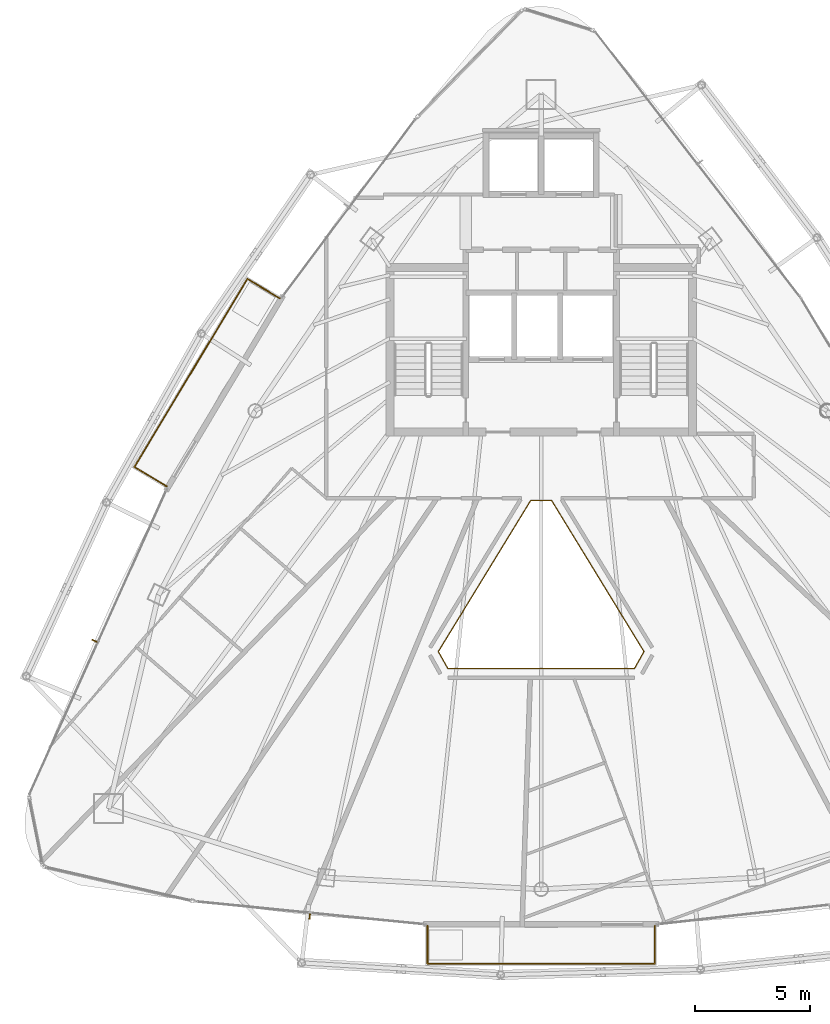
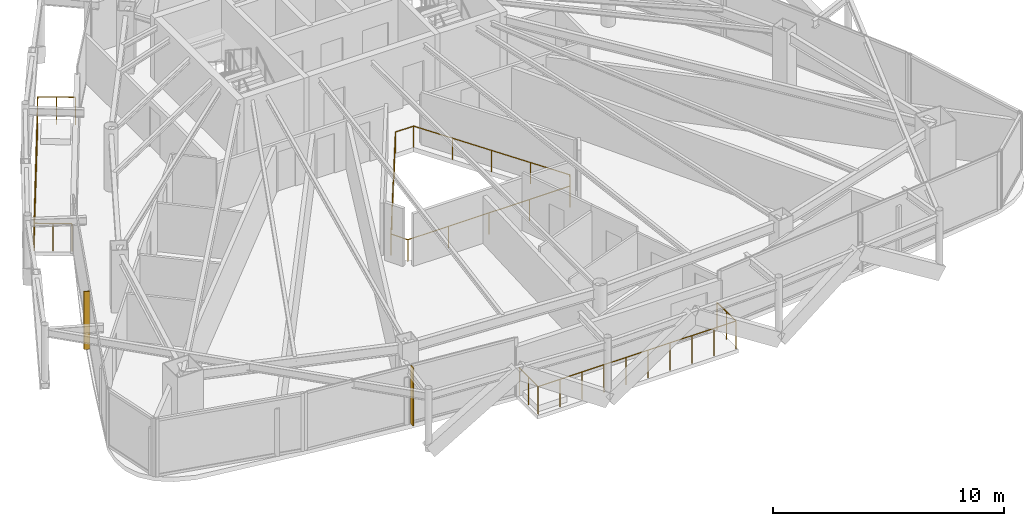
# One storey, part 29 of 30: 3 railings, 2 shading devices.
"""IFC4 building model written with IfcOpenShell, lengths in metres."""

from ifc_helpers import new_model, si_unit, direction, frame, origin, origin_2d, place, context, subcontext, project, spatial, rectangle, circle, extrude, material, layer, layer_set, type_object, element, save


model = new_model("IFC4")

# Units and contexts
model_context = context("Model", 3, precision=1e-05, world=origin(), true_north=direction((0.0, 1.0)))
body_context = subcontext(model_context, "Body", "Model", "MODEL_VIEW")
ifc_project = project(units=[si_unit("LENGTHUNIT", "METRE"), si_unit("AREAUNIT", "SQUARE_METRE"), si_unit("VOLUMEUNIT", "CUBIC_METRE"), si_unit("PLANEANGLEUNIT", "RADIAN"), si_unit("MASSUNIT", "GRAM", prefix="KILO")], contexts=[model_context])

# Site, building, storey
site_placement = place(None, origin())
site = spatial("IfcSite", under=ifc_project, at=site_placement, CompositionType="ELEMENT")
building_placement = place(site_placement, origin())
building = spatial("IfcBuilding", under=site, at=building_placement, Name="Orvanel Arch Residences", CompositionType="ELEMENT")
storey_placement = place(building_placement, frame((0.0, 0.0, 240.35009765625)))
storey = spatial("IfcBuildingStorey", under=building, at=storey_placement, Name="L68", CompositionType="ELEMENT", Elevation=240.35009765625)

# Shading devices
ifc_material = material(Name="Bronze-anodised aluminium AA6063-T6", Category="aluminium")
ifc_layer = layer(ifc_material, 0.050048828125)
ifc_layer_set = layer_set([ifc_layer], Name="Bronze-anodised aluminium AA6063-T6")
shading_device_type = type_object("IfcShadingDeviceType", Name="FIN-BRZ-260", PredefinedType="USERDEFINED", material=ifc_layer_set)
for number, where, z_axis, x_axis, name in (
    (1, (13.5869140625, 17.64208984375, -0.000244140625), (0.0, 0.0, 1.0), (-0.912120116172, 0.409923033842, 0.0), "L68 Anodised Bronze Mullion FIN 01"),
    (2, (22.93994140625, 5.6640625, -0.000244140625), (0.0, 0.0, 1.0), (-0.099319749744, -0.995055569961, 0.0), "L68 Anodised Bronze Mullion FIN 01"),
):
    element("IfcShadingDevice", number, at=place(storey_placement, frame(where, z_axis=z_axis, x_axis=x_axis)), inside=storey, type_object=shading_device_type, Name=name, ObjectType="FIN", PredefinedType="USERDEFINED", context=body_context, shape_type="SweptSolid", body=[
        extrude(rectangle(XDim=0.260009765625, YDim=0.050048828125, at=origin_2d()), origin(), (0.0, 0.0, 1.0), 3.06005859375),
    ])

# Railings
railing_type_1 = type_object("IfcRailingType", Name="RL-ATR-1150", PredefinedType="BALUSTRADE", material=ifc_material)
railing_1_placement = place(storey_placement, frame((33.452880859375, 23.7470703125, 0.0)))
element("IfcRailing", 3, at=railing_1_placement, inside=storey, type_object=railing_type_1, Name="L68 Atrium Void Protective Balustrade", PredefinedType="BALUSTRADE", context=body_context, shape_type="SweptSolid", body=[
    extrude(circle(Radius=0.02392578125, at=origin_2d()), frame((-0.00146484375, 0.0, 1.1259765625), z_axis=(-1.0, 0.0, 0.0), x_axis=(0.0, -1.0, 0.0)), (0.0, 0.0, 1.0), 0.90283203125),
    extrude(circle(Radius=0.02392578125, at=origin_2d()), frame((-0.906494140625, -0.001220703125, 1.1259765625), z_axis=(-0.521628329613, -0.853172834627, 0.0), x_axis=(0.853172834627, -0.521628329613, 0.0)), (0.0, 0.0, 1.0), 7.6943359375),
    extrude(circle(Radius=0.02392578125, at=origin_2d()), frame((-4.920166015625, -6.568359375, 1.1259765625), z_axis=(0.489565416471, -0.871966572178, 0.0), x_axis=(0.871966572178, 0.489565416471, 0.0)), (0.0, 0.0, 1.0), 0.8466796875),
    extrude(circle(Radius=0.02392578125, at=origin_2d()), frame((-4.50341796875, -7.30810546875, 1.1259765625), z_axis=(1.0, 0.0, 0.0), x_axis=(0.0, 1.0, 0.0)), (0.0, 0.0, 1.0), 8.10107421875),
    extrude(circle(Radius=0.02392578125, at=origin_2d()), frame((3.599853515625, -7.306884765625, 1.1259765625), z_axis=(0.489565416471, 0.871966572178, 0.0), x_axis=(-0.871966572178, 0.489565416471, 0.0)), (0.0, 0.0, 1.0), 0.8466796875),
    extrude(circle(Radius=0.02392578125, at=origin_2d()), frame((4.014404296875, -6.56591796875, 1.1259765625), z_axis=(-0.521628329613, 0.853172834627, 0.0), x_axis=(-0.853172834627, -0.521628329613, 0.0)), (0.0, 0.0, 1.0), 7.6943359375),
    extrude(circle(Radius=0.02099609375, at=origin_2d()), origin(), (0.0, 0.0, 1.0), 1.099853515625),
    extrude(circle(Radius=0.02099609375, at=origin_2d()), frame((-0.90576171875, 0.0, 0.0)), (0.0, 0.0, 1.0), 1.099853515625),
    extrude(circle(Radius=0.02099609375, at=origin_2d()), frame((-1.90966796875, -1.641845703125, 0.0)), (0.0, 0.0, 1.0), 1.099853515625),
    extrude(circle(Radius=0.02099609375, at=origin_2d()), frame((-2.913330078125, -3.28369140625, 0.0)), (0.0, 0.0, 1.0), 1.099853515625),
    extrude(circle(Radius=0.02099609375, at=origin_2d()), frame((-3.9169921875, -4.92529296875, 0.0)), (0.0, 0.0, 1.0), 1.099853515625),
    extrude(circle(Radius=0.02099609375, at=origin_2d()), frame((-4.9208984375, -6.567138671875, 0.0)), (0.0, 0.0, 1.0), 1.099853515625),
    extrude(circle(Radius=0.02099609375, at=origin_2d()), frame((-4.5048828125, -7.30810546875, 0.0)), (0.0, 0.0, 1.0), 1.099853515625),
    extrude(circle(Radius=0.02099609375, at=origin_2d()), frame((-2.47900390625, -7.30810546875, 0.0)), (0.0, 0.0, 1.0), 1.099853515625),
    extrude(circle(Radius=0.02099609375, at=origin_2d()), frame((-0.452880859375, -7.30810546875, 0.0)), (0.0, 0.0, 1.0), 1.099853515625),
    extrude(circle(Radius=0.02099609375, at=origin_2d()), frame((1.5732421875, -7.30810546875, 0.0)), (0.0, 0.0, 1.0), 1.099853515625),
    extrude(circle(Radius=0.02099609375, at=origin_2d()), frame((3.59912109375, -7.30810546875, 0.0)), (0.0, 0.0, 1.0), 1.099853515625),
    extrude(circle(Radius=0.02099609375, at=origin_2d()), frame((4.01513671875, -6.567138671875, 0.0)), (0.0, 0.0, 1.0), 1.099853515625),
    extrude(circle(Radius=0.02099609375, at=origin_2d()), frame((3.01123046875, -4.92529296875, 0.0)), (0.0, 0.0, 1.0), 1.099853515625),
    extrude(circle(Radius=0.02099609375, at=origin_2d()), frame((2.007568359375, -3.28369140625, 0.0)), (0.0, 0.0, 1.0), 1.099853515625),
    extrude(circle(Radius=0.02099609375, at=origin_2d()), frame((1.00390625, -1.641845703125, 0.0)), (0.0, 0.0, 1.0), 1.099853515625),
])
railing_type_2 = type_object("IfcRailingType", Name="RL-BAL-1480", PredefinedType="BALUSTRADE", material=ifc_material)
railing_2_placement = place(storey_placement, frame((21.632080078125, 32.5380859375, 0.0)))
element("IfcRailing", 4, at=railing_2_placement, inside=storey, type_object=railing_type_2, Name="L68 Balcony Perimeter Guardrail Face 1", PredefinedType="BALUSTRADE", context=body_context, shape_type="SweptSolid", body=[
    extrude(circle(Radius=0.02392578125, at=origin_2d()), frame((-0.001220703125, 0.000732421875, 1.4560546875), z_axis=(-0.857387817543, 0.514670895164, 0.0), x_axis=(-0.514670895164, -0.857387817543, 0.0)), (0.0, 0.0, 1.0), 1.636962890625),
    extrude(circle(Radius=0.02392578125, at=origin_2d()), frame((-1.40673828125, 0.8427734375, 1.4560546875), z_axis=(-0.514439305395, -0.857526793205, 0.0), x_axis=(0.857526793205, -0.514439305395, 0.0)), (0.0, 0.0, 1.0), 9.537353515625),
    extrude(circle(Radius=0.02392578125, at=origin_2d()), frame((-6.312744140625, -7.337890625, 1.4560546875), z_axis=(0.857545439568, -0.514408222208, 0.0), x_axis=(0.514408222208, 0.857545439568, 0.0)), (0.0, 0.0, 1.0), 1.6376953125),
    extrude(circle(Radius=0.02099609375, at=origin_2d()), origin(), (0.0, 0.0, 1.0), 1.429931640625),
    extrude(circle(Radius=0.02099609375, at=origin_2d()), frame((-0.703125, 0.421875, 0.0)), (0.0, 0.0, 1.0), 1.429931640625),
    extrude(circle(Radius=0.02099609375, at=origin_2d()), frame((-1.406005859375, 0.843994140625, 0.0)), (0.0, 0.0, 1.0), 1.429931640625),
    extrude(circle(Radius=0.02099609375, at=origin_2d()), frame((-2.01953125, -0.1787109375, 0.0)), (0.0, 0.0, 1.0), 1.429931640625),
    extrude(circle(Radius=0.02099609375, at=origin_2d()), frame((-2.633056640625, -1.201171875, 0.0)), (0.0, 0.0, 1.0), 1.429931640625),
    extrude(circle(Radius=0.02099609375, at=origin_2d()), frame((-3.24658203125, -2.223876953125, 0.0)), (0.0, 0.0, 1.0), 1.429931640625),
    extrude(circle(Radius=0.02099609375, at=origin_2d()), frame((-3.85986328125, -3.24658203125, 0.0)), (0.0, 0.0, 1.0), 1.429931640625),
    extrude(circle(Radius=0.02099609375, at=origin_2d()), frame((-4.473388671875, -4.269287109375, 0.0)), (0.0, 0.0, 1.0), 1.429931640625),
    extrude(circle(Radius=0.02099609375, at=origin_2d()), frame((-5.0869140625, -5.2919921875, 0.0)), (0.0, 0.0, 1.0), 1.429931640625),
    extrude(circle(Radius=0.02099609375, at=origin_2d()), frame((-5.700439453125, -6.314453125, 0.0)), (0.0, 0.0, 1.0), 1.429931640625),
    extrude(circle(Radius=0.02099609375, at=origin_2d()), frame((-6.31396484375, -7.337158203125, 0.0)), (0.0, 0.0, 1.0), 1.429931640625),
    extrude(circle(Radius=0.02099609375, at=origin_2d()), frame((-5.6103515625, -7.75927734375, 0.0)), (0.0, 0.0, 1.0), 1.429931640625),
    extrude(circle(Radius=0.02099609375, at=origin_2d()), frame((-4.906982421875, -8.18115234375, 0.0)), (0.0, 0.0, 1.0), 1.429931640625),
])
railing_3_placement = place(storey_placement, frame((28.05810546875, 5.256103515625, 0.0)))
element("IfcRailing", 5, at=railing_3_placement, inside=storey, type_object=railing_type_2, Name="L68 Balcony Perimeter Guardrail Face 2", PredefinedType="BALUSTRADE", context=body_context, shape_type="SweptSolid", body=[
    extrude(circle(Radius=0.02392578125, at=origin_2d()), frame((0.0, -0.00146484375, 1.4560546875), z_axis=(0.0, -1.0, 0.0), x_axis=(1.0, 0.0, 0.0)), (0.0, 0.0, 1.0), 1.63720703125),
    extrude(circle(Radius=0.02392578125, at=origin_2d()), frame((0.00146484375, -1.64013671875, 1.4560546875), z_axis=(1.0, 0.0, 0.0), x_axis=(0.0, 1.0, 0.0)), (0.0, 0.0, 1.0), 9.880859375),
    extrude(circle(Radius=0.02392578125, at=origin_2d()), frame((9.8837890625, -1.638671875, 1.4560546875), z_axis=(0.0, 1.0, 0.0), x_axis=(-1.0, 0.0, 0.0)), (0.0, 0.0, 1.0), 1.63720703125),
    extrude(circle(Radius=0.02099609375, at=origin_2d()), origin(), (0.0, 0.0, 1.0), 1.429931640625),
    extrude(circle(Radius=0.02099609375, at=origin_2d()), frame((0.0, -0.820068359375, 0.0)), (0.0, 0.0, 1.0), 1.429931640625),
    extrude(circle(Radius=0.02099609375, at=origin_2d()), frame((0.0, -1.64013671875, 0.0)), (0.0, 0.0, 1.0), 1.429931640625),
    extrude(circle(Radius=0.02099609375, at=origin_2d()), frame((1.09814453125, -1.64013671875, 0.0)), (0.0, 0.0, 1.0), 1.429931640625),
    extrude(circle(Radius=0.02099609375, at=origin_2d()), frame((2.1962890625, -1.64013671875, 0.0)), (0.0, 0.0, 1.0), 1.429931640625),
    extrude(circle(Radius=0.02099609375, at=origin_2d()), frame((3.294677734375, -1.64013671875, 0.0)), (0.0, 0.0, 1.0), 1.429931640625),
    extrude(circle(Radius=0.02099609375, at=origin_2d()), frame((4.392822265625, -1.64013671875, 0.0)), (0.0, 0.0, 1.0), 1.429931640625),
    extrude(circle(Radius=0.02099609375, at=origin_2d()), frame((5.490966796875, -1.64013671875, 0.0)), (0.0, 0.0, 1.0), 1.429931640625),
    extrude(circle(Radius=0.02099609375, at=origin_2d()), frame((6.589111328125, -1.64013671875, 0.0)), (0.0, 0.0, 1.0), 1.429931640625),
    extrude(circle(Radius=0.02099609375, at=origin_2d()), frame((7.6875, -1.64013671875, 0.0)), (0.0, 0.0, 1.0), 1.429931640625),
    extrude(circle(Radius=0.02099609375, at=origin_2d()), frame((8.78564453125, -1.64013671875, 0.0)), (0.0, 0.0, 1.0), 1.429931640625),
    extrude(circle(Radius=0.02099609375, at=origin_2d()), frame((9.8837890625, -1.64013671875, 0.0)), (0.0, 0.0, 1.0), 1.429931640625),
    extrude(circle(Radius=0.02099609375, at=origin_2d()), frame((9.8837890625, -0.820068359375, 0.0)), (0.0, 0.0, 1.0), 1.429931640625),
    extrude(circle(Radius=0.02099609375, at=origin_2d()), frame((9.8837890625, 0.0, 0.0)), (0.0, 0.0, 1.0), 1.429931640625),
])

save(model, "model.ifc")
